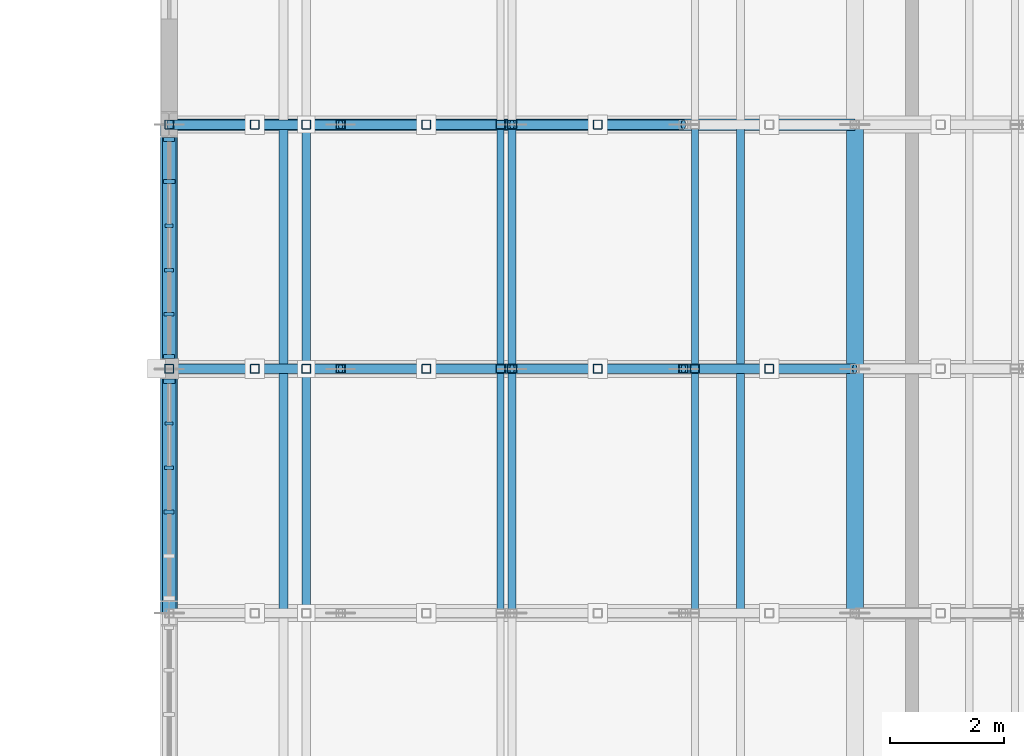
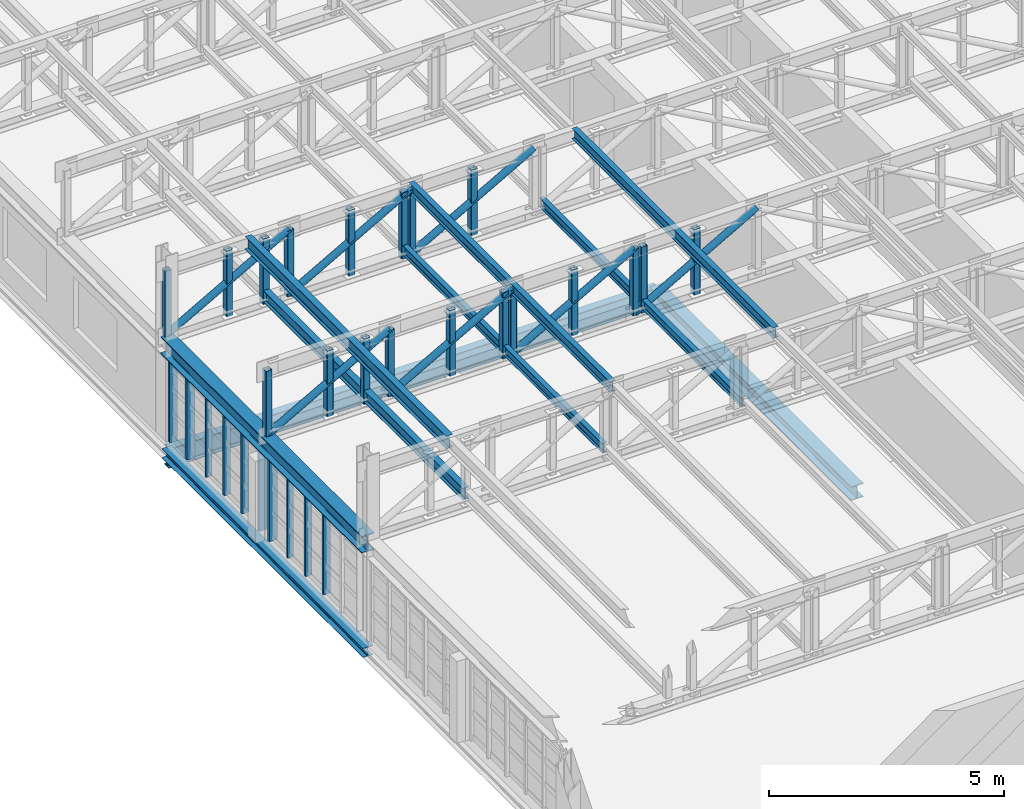
# One storey, part 37 of 128: 42 members, 4 beams, 2 elements without a shape of their own.
"""IFC4 building model written with IfcOpenShell, lengths in metres."""

from ifc_helpers import new_model, si_unit, direction, frame, origin, origin_2d, place, context, subcontext, project, spatial, rectangle, hollow_rectangle, hollow_circle, i_section, extrude, material, material_profile, profile_set, type_object, element, aggregate, save


model = new_model("IFC4")

# Units and contexts
model_context = context("Model", 3, precision=1e-05, world=origin(), true_north=direction((0.0, 1.0)))
body_context = subcontext(model_context, "Body", "Model", "MODEL_VIEW")
ifc_project = project(units=[si_unit("LENGTHUNIT", "METRE"), si_unit("AREAUNIT", "SQUARE_METRE"), si_unit("VOLUMEUNIT", "CUBIC_METRE"), si_unit("PLANEANGLEUNIT", "RADIAN"), si_unit("MASSUNIT", "GRAM", prefix="KILO")], contexts=[model_context])

# Site, building, storey
site_placement = place(None, origin())
site = spatial("IfcSite", under=ifc_project, at=site_placement, CompositionType="ELEMENT")
building_placement = place(site_placement, origin())
building = spatial("IfcBuilding", under=site, at=building_placement, Name="Serraforn Aerial Cableway Station", CompositionType="ELEMENT")
storey_placement = place(building_placement, frame((0.0, 0.0, 9.0)))
storey = spatial("IfcBuildingStorey", under=building, at=storey_placement, Name="L02", CompositionType="ELEMENT", Elevation=9.0)

# Beams
ifc_material_1 = material(Name="Steel S355JR", Category="steel")
ifc_material_profile_1 = material_profile(ifc_material_1, i_section(OverallWidth=0.239990234375, OverallDepth=0.239990234375, WebThickness=0.007568359375, FlangeThickness=0.011962890625, FilletRadius=0.02099609375, at=origin_2d()), Name="HEA 240")
ifc_profile_set_1 = profile_set([ifc_material_profile_1], Name="Steel S355JR")
beam_type_1 = type_object("IfcBeamType", Name="BM-ST-HEA240", PredefinedType="BEAM", material=ifc_profile_set_1)
beam_1_placement = place(storey_placement, frame((144.0, 62.699951171875, -0.43994140625), z_axis=(0.0, 1.0, 0.0), x_axis=(-1.0, 0.0, 0.0)))
element("IfcBeam", 1, at=beam_1_placement, inside=storey, type_object=beam_type_1, Name="Grid Girder Y EG L02 X1-3", PredefinedType="BEAM", context=body_context, shape_type="SweptSolid", body=[
    extrude(i_section(OverallWidth=0.239990234375, OverallDepth=0.239990234375, WebThickness=0.007568359375, FlangeThickness=0.011962890625, FilletRadius=0.02099609375, at=origin_2d()), origin(), (0.0, 0.0, 1.0), 8.550048828125),
])
ifc_material_profile_2 = material_profile(ifc_material_1, i_section(OverallWidth=0.300048828125, OverallDepth=0.360107421875, WebThickness=0.010009765625, FlangeThickness=0.017578125, FilletRadius=0.027099609375, at=origin_2d()), Name="HEA 360")
ifc_profile_set_2 = profile_set([ifc_material_profile_2], Name="Steel S355JR")
beam_type_2 = type_object("IfcBeamType", Name="BM-ST-HEA360", PredefinedType="BEAM", material=ifc_profile_set_2)
beam_2_placement = place(storey_placement, frame((156.0, 62.699951171875, -0.5), z_axis=(0.0, 1.0, 0.0), x_axis=(-1.0, 0.0, 0.0)))
element("IfcBeam", 2, at=beam_2_placement, inside=storey, type_object=beam_type_2, Name="Grid Girder Y EG L02 X2-3", PredefinedType="BEAM", context=body_context, shape_type="SweptSolid", body=[
    extrude(i_section(OverallWidth=0.300048828125, OverallDepth=0.360107421875, WebThickness=0.010009765625, FlangeThickness=0.017578125, FilletRadius=0.027099609375, at=origin_2d()), origin(), (0.0, 0.0, 1.0), 8.550048828125),
])
ifc_material_2 = material(Name="Steel S355J2", Category="steel")
ifc_material_profile_3 = material_profile(ifc_material_2, i_section(OverallWidth=0.300048828125, OverallDepth=0.449951171875, WebThickness=0.013916015625, FlangeThickness=0.02587890625, FilletRadius=0.027099609375, at=origin_2d()), Name="HEB 450")
ifc_profile_set_3 = profile_set([ifc_material_profile_3], Name="Steel S355J2")
beam_type_3 = type_object("IfcBeamType", Name="BM-ST-HEB450", PredefinedType="USERDEFINED", material=ifc_profile_set_3)
beam_3_placement = place(storey_placement, frame((144.0, 62.699951171875, 2.375), z_axis=(0.0, 1.0, 0.0), x_axis=(-1.0, 0.0, 0.0)))
element("IfcBeam", 3, at=beam_3_placement, inside=storey, type_object=beam_type_3, Name="Garage Truss Support Girder W-3", ObjectType="GIRDER", PredefinedType="USERDEFINED", context=body_context, shape_type="SweptSolid", body=[
    extrude(i_section(OverallWidth=0.300048828125, OverallDepth=0.449951171875, WebThickness=0.013916015625, FlangeThickness=0.02587890625, FilletRadius=0.027099609375, at=origin_2d()), origin(), (0.0, 0.0, 1.0), 8.550048828125),
])
ifc_material_profile_4 = material_profile(ifc_material_1, i_section(OverallWidth=0.199951171875, OverallDepth=0.5, WebThickness=0.01025390625, FlangeThickness=0.01611328125, FilletRadius=0.02099609375, at=origin_2d()), Name="IPE 500")
ifc_profile_set_4 = profile_set([ifc_material_profile_4], Name="Steel S355JR")
beam_type_4 = type_object("IfcBeamType", Name="BM-ST-IPE500", PredefinedType="USERDEFINED", material=ifc_profile_set_4)
beam_4_placement = place(storey_placement, frame((144.0, 71.25, -0.570068359375), z_axis=(1.0, 0.0, 0.0), x_axis=(0.0, 1.0, 0.0)))
element("IfcBeam", 4, at=beam_4_placement, inside=storey, type_object=beam_type_4, Name="Grid Girder X EG L02 Y4-1", ObjectType="GIRDER", PredefinedType="USERDEFINED", context=body_context, shape_type="SweptSolid", body=[
    extrude(i_section(OverallWidth=0.199951171875, OverallDepth=0.5, WebThickness=0.01025390625, FlangeThickness=0.01611328125, FilletRadius=0.02099609375, at=origin_2d()), origin(), (0.0, 0.0, 1.0), 12.0),
])

# Curtain wall, member
ifc_material_3 = material(Name="Anodised bronze unitised curtain wall")
curtain_wall_type_1 = type_object("IfcCurtainWallType", Name="CW-SYS-25", PredefinedType="USERDEFINED", material=ifc_material_3)
curtain_wall_1_placement = place(storey_placement, origin())
curtain_wall_1 = element("IfcCurtainWall", 5, at=curtain_wall_1_placement, inside=storey, type_object=curtain_wall_type_1, Name="Unitised Curtain Wall CW-EG-L02-W3A", ObjectType="UNITISED CURTAIN WALL", PredefinedType="USERDEFINED")
ifc_material_4 = material(Name="Anodised bronze extruded aluminium", Category="aluminium")
ifc_material_profile_5 = material_profile(ifc_material_4, rectangle(XDim=0.054931640625, YDim=0.139892578125, at=origin_2d()), Name="CW MULLION 55x140")
ifc_profile_set_5 = profile_set([ifc_material_profile_5], Name="Anodised bronze extruded aluminium")
member_type_1 = type_object("IfcMemberType", Name="CW-MUL-1", PredefinedType="MULLION", material=ifc_profile_set_5)
member_1_placement = place(storey_placement, frame((144.0, 69.478271484375, 0.0), z_axis=(0.0, 0.0, 1.0), x_axis=(0.0, -1.0, 0.0)))
member_1 = element("IfcMember", 6, at=member_1_placement, type_object=member_type_1, Name="Curtain Wall Mullion CW-EG-L02-W3A-M3", PredefinedType="MULLION", context=body_context, shape_type="SweptSolid", body=[
    extrude(rectangle(XDim=0.054931640625, YDim=0.139892578125, at=origin_2d()), origin(), (0.0, 0.0, 1.0), 2.1201171875),
])

curtain_wall_type_2 = type_object("IfcCurtainWallType", Name="CW-SYS-26", PredefinedType="USERDEFINED", material=ifc_material_3)
curtain_wall_2_placement = place(storey_placement, origin())
curtain_wall_2 = element("IfcCurtainWall", 7, at=curtain_wall_2_placement, inside=storey, type_object=curtain_wall_type_2, Name="Unitised Curtain Wall CW-EG-L02-W3B", ObjectType="UNITISED CURTAIN WALL", PredefinedType="USERDEFINED")
member_2_placement = place(storey_placement, frame((144.0, 66.0205078125, 0.0), z_axis=(0.0, 0.0, 1.0), x_axis=(0.0, -1.0, 0.0)))
member_2 = element("IfcMember", 8, at=member_2_placement, type_object=member_type_1, Name="Curtain Wall Mullion CW-EG-L02-W3B-M2", PredefinedType="MULLION", context=body_context, shape_type="SweptSolid", body=[
    extrude(rectangle(XDim=0.054931640625, YDim=0.139892578125, at=origin_2d()), origin(), (0.0, 0.0, 1.0), 2.1201171875),
])

# Member
ifc_material_profile_6 = material_profile(ifc_material_4, rectangle(XDim=0.06005859375, YDim=0.159912109375, at=origin_2d()), Name="CW MULLION 60x160")
ifc_profile_set_6 = profile_set([ifc_material_profile_6], Name="Anodised bronze extruded aluminium")
member_type_2 = type_object("IfcMemberType", Name="CW-MUL-2", PredefinedType="MULLION", material=ifc_profile_set_6)
member_3_placement = place(storey_placement, frame((144.0, 68.703857421875, 0.0), z_axis=(0.0, 0.0, 1.0), x_axis=(0.0, -1.0, 0.0)))
member_3 = element("IfcMember", 9, at=member_3_placement, type_object=member_type_2, Name="Curtain Wall Mullion CW-EG-L02-W3A-M4", PredefinedType="MULLION", context=body_context, shape_type="SweptSolid", body=[
    extrude(rectangle(XDim=0.06005859375, YDim=0.159912109375, at=origin_2d()), origin(), (0.0, 0.0, 1.0), 2.1201171875),
])

member_4_placement = place(storey_placement, frame((144.0, 65.24609375, 0.0), z_axis=(0.0, 0.0, 1.0), x_axis=(0.0, -1.0, 0.0)))
member_4 = element("IfcMember", 10, at=member_4_placement, type_object=member_type_2, Name="Curtain Wall Mullion CW-EG-L02-W3B-M3", PredefinedType="MULLION", context=body_context, shape_type="SweptSolid", body=[
    extrude(rectangle(XDim=0.06005859375, YDim=0.159912109375, at=origin_2d()), origin(), (0.0, 0.0, 1.0), 2.1201171875),
])

ifc_material_profile_7 = material_profile(ifc_material_4, rectangle(XDim=0.06494140625, YDim=0.175048828125, at=origin_2d()), Name="CW MULLION 65x175")
ifc_profile_set_7 = profile_set([ifc_material_profile_7], Name="Anodised bronze extruded aluminium")
member_type_3 = type_object("IfcMemberType", Name="CW-MUL-3", PredefinedType="MULLION", material=ifc_profile_set_7)
member_5_placement = place(storey_placement, frame((144.0, 67.929443359375, 0.0), z_axis=(0.0, 0.0, 1.0), x_axis=(0.0, -1.0, 0.0)))
member_5 = element("IfcMember", 11, at=member_5_placement, type_object=member_type_3, Name="Curtain Wall Mullion CW-EG-L02-W3A-M5", PredefinedType="MULLION", context=body_context, shape_type="SweptSolid", body=[
    extrude(rectangle(XDim=0.06494140625, YDim=0.175048828125, at=origin_2d()), origin(), (0.0, 0.0, 1.0), 2.1201171875),
])

member_6_placement = place(storey_placement, frame((144.0, 64.4716796875, 0.0), z_axis=(0.0, 0.0, 1.0), x_axis=(0.0, -1.0, 0.0)))
member_6 = element("IfcMember", 12, at=member_6_placement, type_object=member_type_3, Name="Curtain Wall Mullion CW-EG-L02-W3B-M4", PredefinedType="MULLION", context=body_context, shape_type="SweptSolid", body=[
    extrude(rectangle(XDim=0.06494140625, YDim=0.175048828125, at=origin_2d()), origin(), (0.0, 0.0, 1.0), 2.1201171875),
])

ifc_material_profile_8 = material_profile(ifc_material_4, rectangle(XDim=0.070068359375, YDim=0.18994140625, at=origin_2d()), Name="CW MULLION 70x190")
ifc_profile_set_8 = profile_set([ifc_material_profile_8], Name="Anodised bronze extruded aluminium")
member_type_4 = type_object("IfcMemberType", Name="CW-MUL-4", PredefinedType="MULLION", material=ifc_profile_set_8)
member_7_placement = place(storey_placement, frame((144.0, 70.991943359375, 0.0), z_axis=(0.0, 0.0, 1.0), x_axis=(0.0, -1.0, 0.0)))
member_7 = element("IfcMember", 13, at=member_7_placement, type_object=member_type_4, Name="Curtain Wall Mullion CW-EG-L02-W3A-M1", PredefinedType="MULLION", context=body_context, shape_type="SweptSolid", body=[
    extrude(rectangle(XDim=0.070068359375, YDim=0.18994140625, at=origin_2d()), origin(), (0.0, 0.0, 1.0), 2.1201171875),
])

member_8_placement = place(storey_placement, frame((144.0, 67.18994140625, 0.0), z_axis=(0.0, 0.0, 1.0), x_axis=(0.0, -1.0, 0.0)))
member_8 = element("IfcMember", 14, at=member_8_placement, type_object=member_type_4, Name="Curtain Wall Mullion CW-EG-L02-W3A-M6", PredefinedType="MULLION", context=body_context, shape_type="SweptSolid", body=[
    extrude(rectangle(XDim=0.070068359375, YDim=0.18994140625, at=origin_2d()), origin(), (0.0, 0.0, 1.0), 2.1201171875),
])

ifc_material_profile_9 = material_profile(ifc_material_4, rectangle(XDim=0.074951171875, YDim=0.199951171875, at=origin_2d()), Name="CW MULLION 75x200")
ifc_profile_set_9 = profile_set([ifc_material_profile_9], Name="Anodised bronze extruded aluminium")
member_type_5 = type_object("IfcMemberType", Name="CW-MUL-5", PredefinedType="MULLION", material=ifc_profile_set_9)
member_9_placement = place(storey_placement, frame((144.0, 70.252685546875, 0.0), z_axis=(0.0, 0.0, 1.0), x_axis=(0.0, -1.0, 0.0)))
member_9 = element("IfcMember", 15, at=member_9_placement, type_object=member_type_5, Name="Curtain Wall Mullion CW-EG-L02-W3A-M2", PredefinedType="MULLION", context=body_context, shape_type="SweptSolid", body=[
    extrude(rectangle(XDim=0.074951171875, YDim=0.199951171875, at=origin_2d()), origin(), (0.0, 0.0, 1.0), 2.1201171875),
])

aggregate(curtain_wall_1, [member_7, member_9, member_1, member_3, member_5, member_8])

member_10_placement = place(storey_placement, frame((144.0, 66.757568359375, 0.0), z_axis=(0.0, 0.0, 1.0), x_axis=(0.0, -1.0, 0.0)))
member_10 = element("IfcMember", 16, at=member_10_placement, type_object=member_type_5, Name="Curtain Wall Mullion CW-EG-L02-W3B-M1", PredefinedType="MULLION", context=body_context, shape_type="SweptSolid", body=[
    extrude(rectangle(XDim=0.074951171875, YDim=0.199951171875, at=origin_2d()), origin(), (0.0, 0.0, 1.0), 2.1201171875),
])

aggregate(curtain_wall_2, [member_10, member_2, member_4, member_6])

# Members
ifc_material_profile_10 = material_profile(ifc_material_2, hollow_circle(Radius=0.084228515625, WallThickness=0.008056640625, at=origin_2d()), Name="CHS 168.3x8.0")
ifc_profile_set_10 = profile_set([ifc_material_profile_10], Name="Steel S355J2")
member_type_6 = type_object("IfcMemberType", Name="MEM-DG-CHS168", PredefinedType="BRACE", material=ifc_profile_set_10)
for number, where, z_axis, x_axis, name in (
    (17, (144.0, 66.97509765625, 2.60009765625), (0.871272396707, 0.0, 0.490799766439), (0.0, 1.0, 0.0), "Garage Truss GT-04 Diagonal 1"),
    (18, (147.0, 66.97509765625, 2.60009765625), (0.871272396707, 0.0, 0.490799766439), (0.0, 1.0, 0.0), "Garage Truss GT-04 Diagonal 2"),
    (19, (150.0, 66.97509765625, 2.60009765625), (0.871272396707, 0.0, 0.490799766439), (0.0, 1.0, 0.0), "Garage Truss GT-04 Diagonal 3"),
    (20, (153.0, 66.97509765625, 2.60009765625), (0.871272396707, 0.0, 0.490799766439), (0.0, 1.0, 0.0), "Garage Truss GT-04 Diagonal 4"),
    (21, (144.0, 71.25, 2.60009765625), (0.871272396707, 0.0, 0.490799766439), (0.0, 1.0, 0.0), "Garage Truss GT-05 Diagonal 1"),
    (22, (147.0, 71.25, 2.60009765625), (0.871272396707, 0.0, 0.490799766439), (0.0, 1.0, 0.0), "Garage Truss GT-05 Diagonal 2"),
    (23, (150.0, 71.25, 2.60009765625), (0.871272396707, 0.0, 0.490799766439), (0.0, 1.0, 0.0), "Garage Truss GT-05 Diagonal 3"),
):
    element("IfcMember", number, at=place(storey_placement, frame(where, z_axis=z_axis, x_axis=x_axis)), inside=storey, type_object=member_type_6, Name=name, PredefinedType="BRACE", context=body_context, shape_type="SweptSolid", body=[
        extrude(hollow_circle(Radius=0.084228515625, WallThickness=0.008056640625, at=origin_2d()), origin(), (0.0, 0.0, 1.0), 3.443359375),
    ])
ifc_material_profile_11 = material_profile(ifc_material_1, i_section(OverallWidth=0.135009765625, OverallDepth=0.27001953125, WebThickness=0.006591796875, FlangeThickness=0.01025390625, FilletRadius=0.014892578125, at=origin_2d()), Name="IPE 270")
ifc_profile_set_11 = profile_set([ifc_material_profile_11], Name="Steel S355JR")
member_type_7 = type_object("IfcMemberType", Name="MEM-PR-IPE270", PredefinedType="PURLIN", material=ifc_profile_set_11)
for number, where, z_axis, x_axis, name in (
    (24, (150.0, 62.699951171875, 4.3349609375), (0.0, 1.0, 0.0), (-1.0, 0.0, 0.0), "Fleet Garage Roof Purlin 3-2"),
    (25, (154.0, 62.699951171875, 4.3349609375), (0.0, 1.0, 0.0), (-1.0, 0.0, 0.0), "Fleet Garage Roof Purlin 3-3"),
):
    element("IfcMember", number, at=place(storey_placement, frame(where, z_axis=z_axis, x_axis=x_axis)), inside=storey, type_object=member_type_7, Name=name, PredefinedType="PURLIN", context=body_context, shape_type="SweptSolid", body=[
        extrude(i_section(OverallWidth=0.135009765625, OverallDepth=0.27001953125, WebThickness=0.006591796875, FlangeThickness=0.01025390625, FilletRadius=0.014892578125, at=origin_2d()), origin(), (0.0, 0.0, 1.0), 8.550048828125),
    ])
ifc_material_profile_12 = material_profile(ifc_material_1, i_section(OverallWidth=0.159912109375, OverallDepth=0.330078125, WebThickness=0.007568359375, FlangeThickness=0.011474609375, FilletRadius=0.01806640625, at=origin_2d()), Name="IPE 330")
ifc_profile_set_12 = profile_set([ifc_material_profile_12], Name="Steel S355JR")
member_type_8 = type_object("IfcMemberType", Name="MEM-PR-IPE330", PredefinedType="PURLIN", material=ifc_profile_set_12)
member_11_placement = place(storey_placement, frame((146.0, 62.699951171875, 4.304931640625), z_axis=(0.0, 1.0, 0.0), x_axis=(-1.0, 0.0, 0.0)))
element("IfcMember", 26, at=member_11_placement, inside=storey, type_object=member_type_8, Name="Fleet Garage Roof Purlin 3-1", PredefinedType="PURLIN", context=body_context, shape_type="SweptSolid", body=[
    extrude(i_section(OverallWidth=0.159912109375, OverallDepth=0.330078125, WebThickness=0.007568359375, FlangeThickness=0.011474609375, FilletRadius=0.01806640625, at=origin_2d()), origin(), (0.0, 0.0, 1.0), 8.550048828125),
])
ifc_material_profile_13 = material_profile(ifc_material_2, i_section(OverallWidth=0.1201171875, OverallDepth=0.239990234375, WebThickness=0.006103515625, FlangeThickness=0.009765625, FilletRadius=0.014892578125, at=origin_2d()), Name="IPE 240")
ifc_profile_set_13 = profile_set([ifc_material_profile_13], Name="Steel S355J2")
member_type_9 = type_object("IfcMemberType", Name="MEM-RL-IPE240", PredefinedType="USERDEFINED", material=ifc_profile_set_13)
for number, where, z_axis, x_axis, name in (
    (27, (149.800048828125, 62.699951171875, 2.820068359375), (0.0, 1.0, 0.0), (-1.0, 0.0, 0.0), "Overhead Cabin Storage Track Rail 2-2"),
    (28, (153.199951171875, 62.699951171875, 2.820068359375), (0.0, 1.0, 0.0), (-1.0, 0.0, 0.0), "Overhead Cabin Storage Track Rail 3-2"),
):
    element("IfcMember", number, at=place(storey_placement, frame(where, z_axis=z_axis, x_axis=x_axis)), inside=storey, type_object=member_type_9, Name=name, ObjectType="OVERHEAD TRACK RAIL", PredefinedType="USERDEFINED", context=body_context, shape_type="SweptSolid", body=[
        extrude(i_section(OverallWidth=0.1201171875, OverallDepth=0.239990234375, WebThickness=0.006103515625, FlangeThickness=0.009765625, FilletRadius=0.014892578125, at=origin_2d()), origin(), (0.0, 0.0, 1.0), 8.550048828125),
    ])
ifc_material_profile_14 = material_profile(ifc_material_2, i_section(OverallWidth=0.14990234375, OverallDepth=0.300048828125, WebThickness=0.007080078125, FlangeThickness=0.0107421875, FilletRadius=0.014892578125, at=origin_2d()), Name="IPE 300")
ifc_profile_set_14 = profile_set([ifc_material_profile_14], Name="Steel S355J2")
member_type_10 = type_object("IfcMemberType", Name="MEM-RL-IPE300", PredefinedType="USERDEFINED", material=ifc_profile_set_14)
member_12_placement = place(storey_placement, frame((146.39990234375, 62.699951171875, 2.820068359375), z_axis=(0.0, 1.0, 0.0), x_axis=(-1.0, 0.0, 0.0)))
element("IfcMember", 29, at=member_12_placement, inside=storey, type_object=member_type_10, Name="Overhead Cabin Storage Track Rail 1-2", ObjectType="OVERHEAD TRACK RAIL", PredefinedType="USERDEFINED", context=body_context, shape_type="SweptSolid", body=[
    extrude(i_section(OverallWidth=0.14990234375, OverallDepth=0.300048828125, WebThickness=0.007080078125, FlangeThickness=0.0107421875, FilletRadius=0.014892578125, at=origin_2d()), origin(), (0.0, 0.0, 1.0), 8.550048828125),
])
ifc_material_profile_15 = material_profile(ifc_material_2, hollow_rectangle(XDim=0.159912109375, YDim=0.159912109375, WallThickness=0.008056640625, InnerFilletRadius=0.008056640625, OuterFilletRadius=0.01611328125, at=origin_2d()), Name="SHS 160x160x8.0")
ifc_profile_set_15 = profile_set([ifc_material_profile_15], Name="Steel S355J2")
member_type_11 = type_object("IfcMemberType", Name="MEM-VP-SHS160", PredefinedType="STRUT", material=ifc_profile_set_15)
for number, where, z_axis, x_axis, name in (
    (30, (144.0, 66.97509765625, 2.590087890625), (0.0, 0.0, 1.0), (1.0, 0.0, 0.0), "Garage Truss GT-04 Post 1"),
    (31, (147.0, 66.97509765625, 2.590087890625), (0.0, 0.0, 1.0), (1.0, 0.0, 0.0), "Garage Truss GT-04 Post 2"),
    (32, (150.0, 66.97509765625, 2.590087890625), (0.0, 0.0, 1.0), (1.0, 0.0, 0.0), "Garage Truss GT-04 Post 3"),
    (33, (153.0, 66.97509765625, 2.590087890625), (0.0, 0.0, 1.0), (1.0, 0.0, 0.0), "Garage Truss GT-04 Post 4"),
    (34, (144.0, 71.25, 2.590087890625), (0.0, 0.0, 1.0), (1.0, 0.0, 0.0), "Garage Truss GT-05 Post 1"),
    (35, (147.0, 71.25, 2.590087890625), (0.0, 0.0, 1.0), (1.0, 0.0, 0.0), "Garage Truss GT-05 Post 2"),
    (36, (150.0, 71.25, 2.590087890625), (0.0, 0.0, 1.0), (1.0, 0.0, 0.0), "Garage Truss GT-05 Post 3"),
    (37, (146.39990234375, 66.97509765625, 2.590087890625), (0.0, 0.0, 1.0), (1.0, 0.0, 0.0), "Overhead Rail Suspension Post 013"),
    (38, (149.800048828125, 66.97509765625, 2.590087890625), (0.0, 0.0, 1.0), (1.0, 0.0, 0.0), "Overhead Rail Suspension Post 014"),
    (39, (153.199951171875, 66.97509765625, 2.590087890625), (0.0, 0.0, 1.0), (1.0, 0.0, 0.0), "Overhead Rail Suspension Post 015"),
    (40, (146.39990234375, 71.25, 2.590087890625), (0.0, 0.0, 1.0), (1.0, 0.0, 0.0), "Overhead Rail Suspension Post 019"),
    (41, (149.800048828125, 71.25, 2.590087890625), (0.0, 0.0, 1.0), (1.0, 0.0, 0.0), "Overhead Rail Suspension Post 020"),
    (42, (145.5, 66.97509765625, 2.590087890625), (0.0, 0.0, 1.0), (1.0, 0.0, 0.0), "Garage Truss GT-04 Sub-Vertical 1"),
    (43, (148.5, 66.97509765625, 2.590087890625), (0.0, 0.0, 1.0), (1.0, 0.0, 0.0), "Garage Truss GT-04 Sub-Vertical 2"),
    (44, (151.5, 66.97509765625, 2.590087890625), (0.0, 0.0, 1.0), (1.0, 0.0, 0.0), "Garage Truss GT-04 Sub-Vertical 3"),
    (45, (154.5, 66.97509765625, 2.590087890625), (0.0, 0.0, 1.0), (1.0, 0.0, 0.0), "Garage Truss GT-04 Sub-Vertical 4"),
    (46, (145.5, 71.25, 2.590087890625), (0.0, 0.0, 1.0), (1.0, 0.0, 0.0), "Garage Truss GT-05 Sub-Vertical 1"),
    (47, (148.5, 71.25, 2.590087890625), (0.0, 0.0, 1.0), (1.0, 0.0, 0.0), "Garage Truss GT-05 Sub-Vertical 2"),
    (48, (151.5, 71.25, 2.590087890625), (0.0, 0.0, 1.0), (1.0, 0.0, 0.0), "Garage Truss GT-05 Sub-Vertical 3"),
):
    element("IfcMember", number, at=place(storey_placement, frame(where, z_axis=z_axis, x_axis=x_axis)), inside=storey, type_object=member_type_11, Name=name, PredefinedType="STRUT", context=body_context, shape_type="SweptSolid", body=[
        extrude(hollow_rectangle(XDim=0.159912109375, YDim=0.159912109375, WallThickness=0.008056640625, InnerFilletRadius=0.008056640625, OuterFilletRadius=0.01611328125, at=origin_2d()), origin(), (0.0, 0.0, 1.0), 1.7099609375),
    ])

save(model, "model.ifc")
